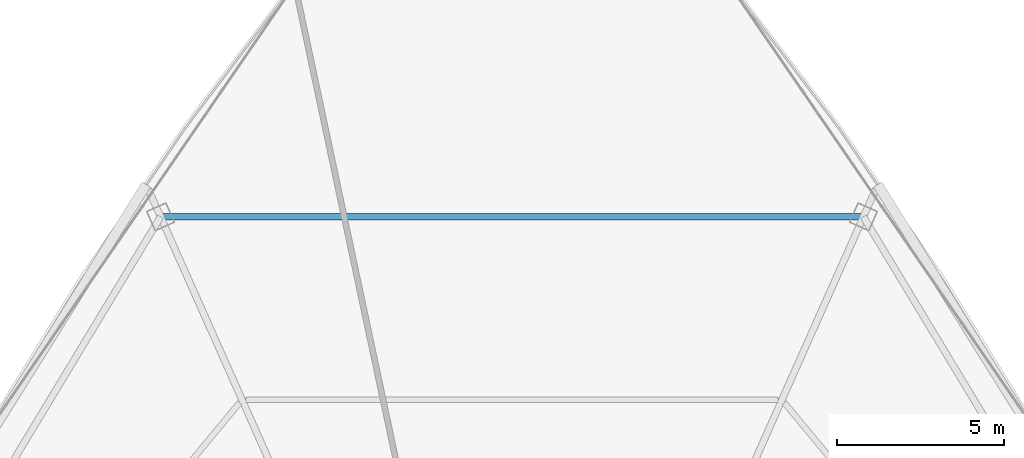
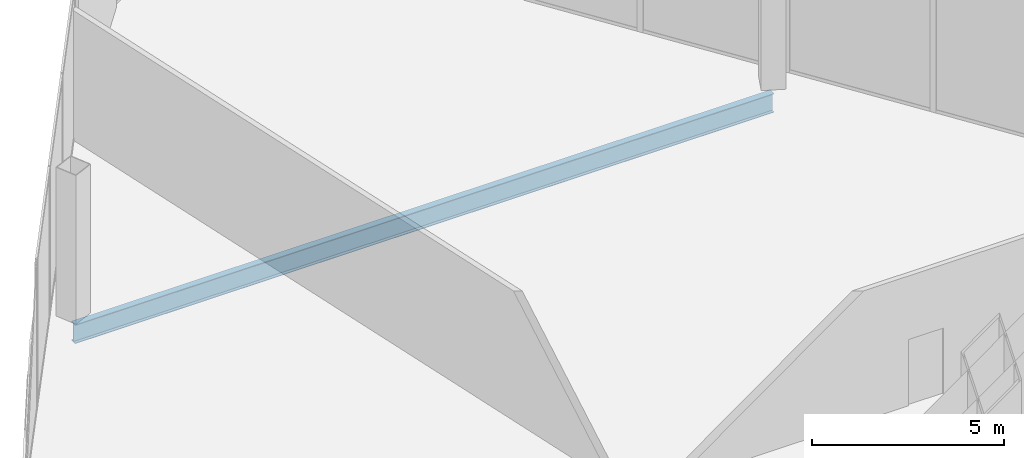
# One storey, part 24 of 33: 1 beam.
"""IFC4 building model written with IfcOpenShell, lengths in metres."""

from ifc_helpers import new_model, si_unit, direction, frame, origin, origin_2d, place, context, subcontext, project, spatial, i_section, extrude, source, transform, mapped, material, material_profile, profile_set, type_object, element, save


model = new_model("IFC4")

# Units and contexts
model_context = context("Model", 3, precision=1e-05, world=origin(), true_north=direction((0.0, 1.0)))
body_context = subcontext(model_context, "Body", "Model", "MODEL_VIEW")
ifc_project = project(units=[si_unit("LENGTHUNIT", "METRE"), si_unit("AREAUNIT", "SQUARE_METRE"), si_unit("VOLUMEUNIT", "CUBIC_METRE"), si_unit("PLANEANGLEUNIT", "RADIAN"), si_unit("MASSUNIT", "GRAM", prefix="KILO"), si_unit("THERMODYNAMICTEMPERATUREUNIT", "KELVIN"), si_unit("POWERUNIT", "WATT")], contexts=[model_context])

# Site, building, storey
site_placement = place(None, origin())
site = spatial("IfcSite", under=ifc_project, at=site_placement, CompositionType="ELEMENT")
building_placement = place(site_placement, origin())
building = spatial("IfcBuilding", under=site, at=building_placement, Name="Yunzhuo Pagoda Commons", CompositionType="ELEMENT")
storey_placement = place(building_placement, frame((0.0, 0.0, 391.760009765625)))
storey = spatial("IfcBuildingStorey", under=building, at=storey_placement, Name="L97", CompositionType="ELEMENT", Elevation=391.760009765625)

# Beam
ifc_material = material(Name="Structural steel Q355B", Category="steel")
ifc_material_profile = material_profile(ifc_material, i_section(OverallWidth=0.199951171875, OverallDepth=0.60009765625, WebThickness=0.010986328125, FlangeThickness=0.01708984375, at=origin_2d()), Name="Structural steel Q355B")
ifc_profile_set = profile_set([ifc_material_profile], Name="Structural steel Q355B")
beam_type = type_object("IfcBeamType", Name="B-RG3 Beam HN 600x200x11x17", PredefinedType="BEAM", material=ifc_profile_set)
shared_shape = source(origin(), body_context, "Body", "SweptSolid", [
    extrude(i_section(OverallWidth=0.199951171875, OverallDepth=0.60009765625, WebThickness=0.010986328125, FlangeThickness=0.01708984375, at=origin_2d()), origin(), (0.0, 0.0, 1.0), 20.99755859375),
])
beam_placement = place(storey_placement, frame((58.498779296875, 57.281005859375, -0.580078125), z_axis=(-1.0, 0.0, 0.0), x_axis=(0.0, -1.0, 0.0)))
element("IfcBeam", 1, at=beam_placement, inside=storey, type_object=beam_type, Name="L97 column-ring beam 8", PredefinedType="BEAM", context=body_context, shape_type="MappedRepresentation", body=[
    mapped(shared_shape, transform((0.0, 0.0, 0.0), scale=1.0)),
])

save(model, "model.ifc")
